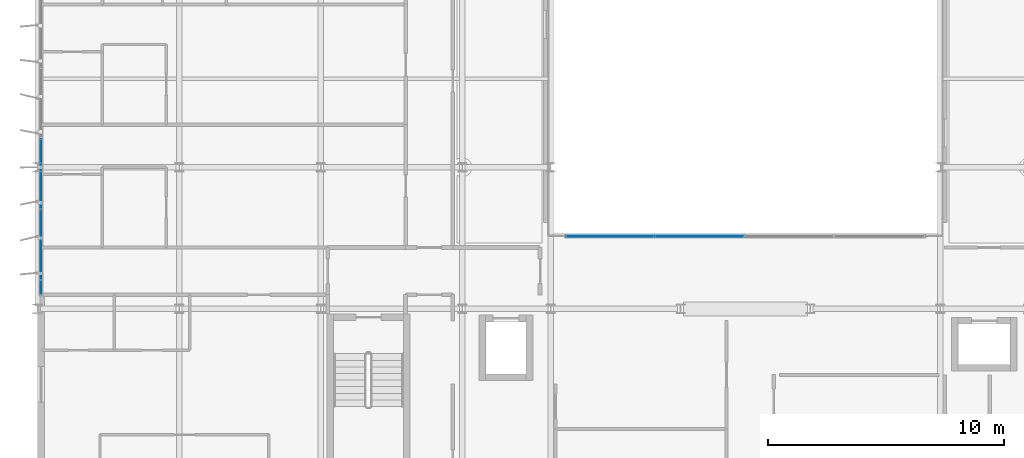
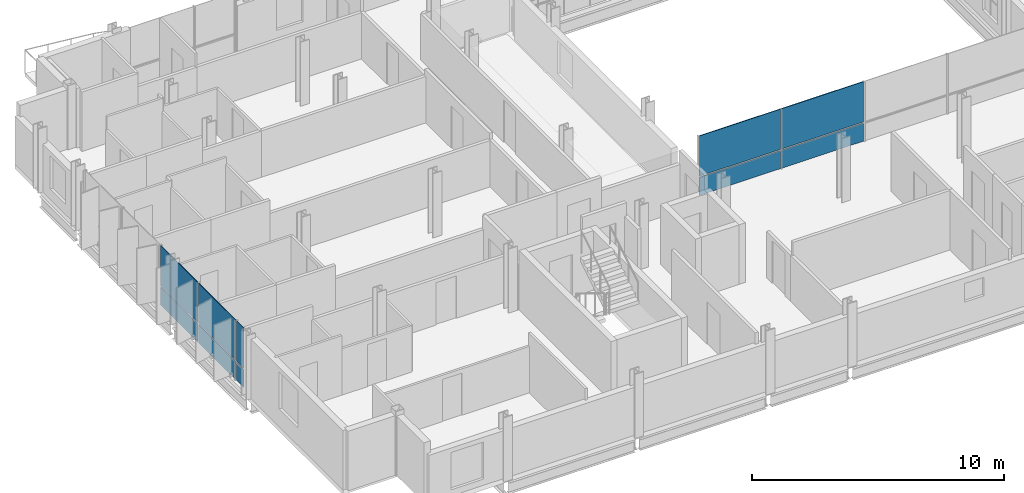
# One storey, part 24 of 39: 10 plates, 2 elements without a shape of their own.
"""IFC4 building model written with IfcOpenShell, lengths in metres."""

from ifc_helpers import new_model, si_unit, direction, frame, origin, origin_2d, place, context, subcontext, project, spatial, rectangle, extrude, material, layer, layer_set, type_object, element, aggregate, save


model = new_model("IFC4")

# Units and contexts
model_context = context("Model", 3, precision=1e-05, world=origin(), true_north=direction((0.0, 1.0)))
body_context = subcontext(model_context, "Body", "Model", "MODEL_VIEW")
ifc_project = project(units=[si_unit("LENGTHUNIT", "METRE"), si_unit("AREAUNIT", "SQUARE_METRE"), si_unit("VOLUMEUNIT", "CUBIC_METRE"), si_unit("PLANEANGLEUNIT", "RADIAN"), si_unit("MASSUNIT", "GRAM", prefix="KILO")], contexts=[model_context])

# Site, building, storey
site_placement = place(None, origin())
site = spatial("IfcSite", under=ifc_project, at=site_placement, CompositionType="ELEMENT")
building_placement = place(site_placement, origin())
building = spatial("IfcBuilding", under=site, at=building_placement, Name="Brevholm Reach", CompositionType="ELEMENT")
storey_placement = place(building_placement, frame((0.0, 0.0, 154.199951171875)))
storey = spatial("IfcBuildingStorey", under=building, at=storey_placement, Name="L46", CompositionType="ELEMENT", Elevation=154.199951171875)

# Curtain wall, plates
ifc_material_1 = material(Name="Dark Anodised Aluminium 6063-T6 and Solar-Control Glass", Category="aluminium")
ifc_layer_1 = layer(ifc_material_1, 0.14990234375)
ifc_layer_set_1 = layer_set([ifc_layer_1], Name="Dark Anodised Aluminium 6063-T6 and Solar-Control Glass")
curtain_wall_type_1 = type_object("IfcCurtainWallType", Name="CW-01", PredefinedType="NOTDEFINED", material=ifc_layer_set_1)
curtain_wall_1_placement = place(storey_placement, origin())
curtain_wall_1 = element("IfcCurtainWall", 1, at=curtain_wall_1_placement, inside=storey, type_object=curtain_wall_type_1, Name="L46 Curtain Wall CW-01", PredefinedType="NOTDEFINED")
ifc_material_2 = material(Name="Dark Solar-Control Double-Glazed IGU Glass", Category="glass")
ifc_layer_2 = layer(ifc_material_2, 0.028076171875)
ifc_layer_set_2 = layer_set([ifc_layer_2], Name="Dark Solar-Control Double-Glazed IGU Glass")
plate_type_1 = type_object("IfcPlateType", Name="CWP-GLZ-28", PredefinedType="CURTAIN_PANEL", material=ifc_layer_set_2)
plate_1_placement = place(storey_placement, frame((0.14990234375, 15.719970703125, 0.0), z_axis=(0.0, 0.0, 1.0), x_axis=(0.0, -1.0, 0.0)))
plate_1 = element("IfcPlate", 2, at=plate_1_placement, type_object=plate_type_1, Name="CP-01 Glazing Panel 3.1", PredefinedType="CURTAIN_PANEL", context=body_context, shape_type="SweptSolid", body=[
    extrude(rectangle(XDim=2.93505859375, YDim=0.028076171875, at=origin_2d()), origin(), (0.0, 0.0, 1.0), 0.867431640625),
])
plate_2_placement = place(storey_placement, frame((0.14990234375, 15.719970703125, 0.9326171875), z_axis=(0.0, 0.0, 1.0), x_axis=(0.0, -1.0, 0.0)))
plate_2 = element("IfcPlate", 3, at=plate_2_placement, type_object=plate_type_1, Name="CP-01 Glazing Panel 3.2", PredefinedType="CURTAIN_PANEL", context=body_context, shape_type="SweptSolid", body=[
    extrude(rectangle(XDim=2.93505859375, YDim=0.028076171875, at=origin_2d()), origin(), (0.0, 0.0, 1.0), 1.947509765625),
])
plate_3_placement = place(storey_placement, frame((0.14990234375, 12.719970703125, 0.0), z_axis=(0.0, 0.0, 1.0), x_axis=(0.0, -1.0, 0.0)))
plate_3 = element("IfcPlate", 4, at=plate_3_placement, type_object=plate_type_1, Name="CP-01 Glazing Panel 4.1", PredefinedType="CURTAIN_PANEL", context=body_context, shape_type="SweptSolid", body=[
    extrude(rectangle(XDim=2.93505859375, YDim=0.028076171875, at=origin_2d()), origin(), (0.0, 0.0, 1.0), 0.867431640625),
])
plate_4_placement = place(storey_placement, frame((0.14990234375, 12.719970703125, 0.9326171875), z_axis=(0.0, 0.0, 1.0), x_axis=(0.0, -1.0, 0.0)))
plate_4 = element("IfcPlate", 5, at=plate_4_placement, type_object=plate_type_1, Name="CP-01 Glazing Panel 4.2", PredefinedType="CURTAIN_PANEL", context=body_context, shape_type="SweptSolid", body=[
    extrude(rectangle(XDim=2.93505859375, YDim=0.028076171875, at=origin_2d()), origin(), (0.0, 0.0, 1.0), 1.947509765625),
])
plate_5_placement = place(storey_placement, frame((0.14990234375, 10.9013671875, 0.0), z_axis=(0.0, 0.0, 1.0), x_axis=(0.0, -1.0, 0.0)))
plate_5 = element("IfcPlate", 6, at=plate_5_placement, type_object=plate_type_1, Name="CP-01 Glazing Panel 5.1", PredefinedType="CURTAIN_PANEL", context=body_context, shape_type="SweptSolid", body=[
    extrude(rectangle(XDim=0.572509765625, YDim=0.028076171875, at=origin_2d()), origin(), (0.0, 0.0, 1.0), 0.867431640625),
])
plate_6_placement = place(storey_placement, frame((0.14990234375, 10.9013671875, 0.9326171875), z_axis=(0.0, 0.0, 1.0), x_axis=(0.0, -1.0, 0.0)))
plate_6 = element("IfcPlate", 7, at=plate_6_placement, type_object=plate_type_1, Name="CP-01 Glazing Panel 5.2", PredefinedType="CURTAIN_PANEL", context=body_context, shape_type="SweptSolid", body=[
    extrude(rectangle(XDim=0.572509765625, YDim=0.028076171875, at=origin_2d()), origin(), (0.0, 0.0, 1.0), 1.947509765625),
])
aggregate(curtain_wall_1, [plate_1, plate_2, plate_3, plate_4, plate_5, plate_6])

ifc_material_3 = material(Name="Dark Anodised Aluminium 6063-T6 and Solar-Control Glass", Category="aluminium")
ifc_layer_3 = layer(ifc_material_3, 0.139892578125)
ifc_layer_set_3 = layer_set([ifc_layer_3], Name="Dark Anodised Aluminium 6063-T6 and Solar-Control Glass")
curtain_wall_type_2 = type_object("IfcCurtainWallType", Name="CW-02", PredefinedType="NOTDEFINED", material=ifc_layer_set_3)
curtain_wall_2_placement = place(storey_placement, origin())
curtain_wall_2 = element("IfcCurtainWall", 8, at=curtain_wall_2_placement, inside=storey, type_object=curtain_wall_type_2, Name="L46 Curtain Wall CW-02", PredefinedType="NOTDEFINED")
ifc_material_4 = material(Name="Low-Iron Laminated Acoustic Glass", Category="glass")
ifc_layer_4 = layer(ifc_material_4, 0.035888671875)
ifc_layer_set_4 = layer_set([ifc_layer_4], Name="Low-Iron Laminated Acoustic Glass")
plate_type_2 = type_object("IfcPlateType", Name="CWP-GLZ-36", PredefinedType="CURTAIN_PANEL", material=ifc_layer_set_4)
plate_7_placement = place(storey_placement, frame((24.264892578125, 13.080078125, 0.0), z_axis=(0.0, 0.0, 1.0), x_axis=(1.0, 0.0, 0.0)))
plate_7 = element("IfcPlate", 9, at=plate_7_placement, type_object=plate_type_2, Name="CP-02 Glazing Panel 1.1", PredefinedType="CURTAIN_PANEL", context=body_context, shape_type="SweptSolid", body=[
    extrude(rectangle(XDim=3.7099609375, YDim=0.035888671875, at=origin_2d()), origin(), (0.0, 0.0, 1.0), 0.8701171875),
])
plate_8_placement = place(storey_placement, frame((24.264892578125, 13.080078125, 0.93017578125), z_axis=(0.0, 0.0, 1.0), x_axis=(1.0, 0.0, 0.0)))
plate_8 = element("IfcPlate", 10, at=plate_8_placement, type_object=plate_type_2, Name="CP-02 Glazing Panel 1.2", PredefinedType="CURTAIN_PANEL", context=body_context, shape_type="SweptSolid", body=[
    extrude(rectangle(XDim=3.7099609375, YDim=0.035888671875, at=origin_2d()), origin(), (0.0, 0.0, 1.0), 1.949951171875),
])
plate_9_placement = place(storey_placement, frame((28.050048828125, 13.080078125, 0.0), z_axis=(0.0, 0.0, 1.0), x_axis=(1.0, 0.0, 0.0)))
plate_9 = element("IfcPlate", 11, at=plate_9_placement, type_object=plate_type_2, Name="CP-02 Glazing Panel 2.1", PredefinedType="CURTAIN_PANEL", context=body_context, shape_type="SweptSolid", body=[
    extrude(rectangle(XDim=3.739990234375, YDim=0.035888671875, at=origin_2d()), origin(), (0.0, 0.0, 1.0), 0.8701171875),
])
plate_10_placement = place(storey_placement, frame((28.050048828125, 13.080078125, 0.93017578125), z_axis=(0.0, 0.0, 1.0), x_axis=(1.0, 0.0, 0.0)))
plate_10 = element("IfcPlate", 12, at=plate_10_placement, type_object=plate_type_2, Name="CP-02 Glazing Panel 2.2", PredefinedType="CURTAIN_PANEL", context=body_context, shape_type="SweptSolid", body=[
    extrude(rectangle(XDim=3.739990234375, YDim=0.035888671875, at=origin_2d()), origin(), (0.0, 0.0, 1.0), 1.949951171875),
])
aggregate(curtain_wall_2, [plate_7, plate_8, plate_9, plate_10])

save(model, "model.ifc")
